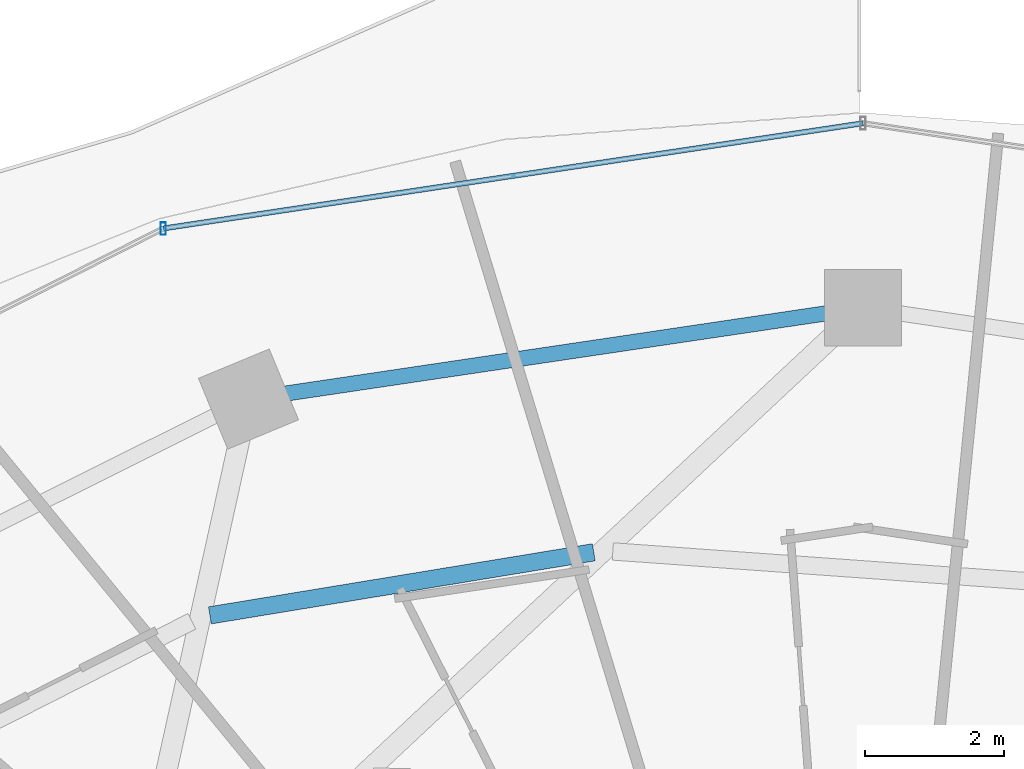
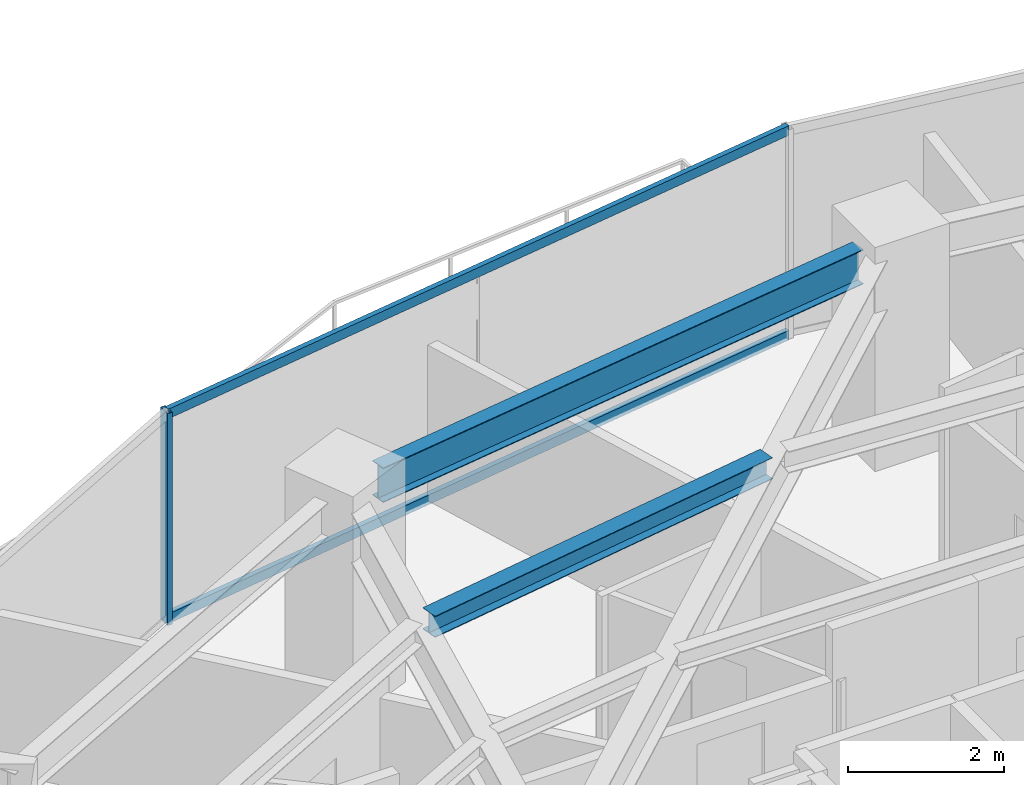
# One storey, part 17 of 29: 3 members, 2 beams, 1 element without a shape of its own.
"""IFC4 building model written with IfcOpenShell, lengths in metres."""

from ifc_helpers import new_model, si_unit, direction, frame, origin, origin_2d, place, context, subcontext, project, spatial, hollow_rectangle, i_section, extrude, material, material_profile, profile_set, type_object, element, aggregate, save


model = new_model("IFC4")

# Units and contexts
model_context = context("Model", 3, precision=1e-05, world=origin(), true_north=direction((0.0, 1.0)))
body_context = subcontext(model_context, "Body", "Model", "MODEL_VIEW")
ifc_project = project(units=[si_unit("LENGTHUNIT", "METRE"), si_unit("AREAUNIT", "SQUARE_METRE"), si_unit("VOLUMEUNIT", "CUBIC_METRE"), si_unit("PLANEANGLEUNIT", "RADIAN"), si_unit("MASSUNIT", "GRAM", prefix="KILO")], contexts=[model_context])

# Site, building, storey
site_placement = place(None, origin())
site = spatial("IfcSite", under=ifc_project, at=site_placement, CompositionType="ELEMENT")
building_placement = place(site_placement, origin())
building = spatial("IfcBuilding", under=site, at=building_placement, Name="Vorneva Point Tower", CompositionType="ELEMENT")
storey_placement = place(building_placement, frame((0.0, 0.0, 110.300048828125)))
storey = spatial("IfcBuildingStorey", under=building, at=storey_placement, Name="L29", CompositionType="ELEMENT", Elevation=110.300048828125)

# Beams
ifc_material_1 = material(Name="Steel S355", Category="steel")
ifc_material_profile_1 = material_profile(ifc_material_1, i_section(OverallWidth=0.2490234375, OverallDepth=0.333984375, WebThickness=0.008056640625, FlangeThickness=0.010986328125, at=origin_2d()), Name="35Sh1")
ifc_profile_set_1 = profile_set([ifc_material_profile_1], Name="Steel S355")
beam_type_1 = type_object("IfcBeamType", Name="BM-SEC-35Sh1", PredefinedType="BEAM", material=ifc_profile_set_1)
beam_1_placement = place(storey_placement, frame((34.135009765625, 39.691650390625, 3.072998046875), z_axis=(-0.986762474115, -0.162172191443, 0.0), x_axis=(0.162172191443, -0.986762474115, 0.0)))
element("IfcBeam", 1, at=beam_1_placement, inside=storey, type_object=beam_type_1, Name="L29 Secondary Floor Beam 1.05", PredefinedType="BEAM", context=body_context, shape_type="SweptSolid", body=[
    extrude(i_section(OverallWidth=0.2490234375, OverallDepth=0.333984375, WebThickness=0.008056640625, FlangeThickness=0.010986328125, at=origin_2d()), origin(), (0.0, 0.0, 1.0), 5.583740234375),
])
ifc_material_profile_2 = material_profile(ifc_material_1, i_section(OverallWidth=0.219970703125, OverallDepth=0.54296875, WebThickness=0.009521484375, FlangeThickness=0.013427734375, at=origin_2d()), Name="55B1")
ifc_profile_set_2 = profile_set([ifc_material_profile_2], Name="Steel S355")
beam_type_2 = type_object("IfcBeamType", Name="BM-SPN-55B1", PredefinedType="SPANDREL", material=ifc_profile_set_2)
beam_2_placement = place(storey_placement, frame((37.470703125, 43.121337890625, 2.968505859375), z_axis=(-0.989164507783, -0.146811363806, 0.0), x_axis=(0.146811363806, -0.989164507783, 0.0)))
element("IfcBeam", 2, at=beam_2_placement, inside=storey, type_object=beam_type_2, Name="L29 Perimeter Spandrel Ring Beam 05", PredefinedType="SPANDREL", context=body_context, shape_type="SweptSolid", body=[
    extrude(i_section(OverallWidth=0.219970703125, OverallDepth=0.54296875, WebThickness=0.009521484375, FlangeThickness=0.013427734375, at=origin_2d()), origin(), (0.0, 0.0, 1.0), 7.847412109375),
])

# Curtain wall, members
ifc_material_2 = material(Name="Pale anodised aluminium", Category="aluminium")
curtain_wall_type = type_object("IfcCurtainWallType", Name="CW-HTL-SYS", PredefinedType="NOTDEFINED", material=ifc_material_2)
curtain_wall_placement = place(storey_placement, origin())
curtain_wall = element("IfcCurtainWall", 3, at=curtain_wall_placement, inside=storey, type_object=curtain_wall_type, Name="L29 Unitised Curtain Wall CW-L29-R02", PredefinedType="NOTDEFINED")
ifc_material_profile_3 = material_profile(ifc_material_2, hollow_rectangle(XDim=0.074951171875, YDim=0.179931640625, WallThickness=0.00390625, at=origin_2d()), Name="AL-MUL 180x75x4")
ifc_profile_set_3 = profile_set([ifc_material_profile_3], Name="Pale anodised aluminium")
member_type_1 = type_object("IfcMemberType", Name="CW-MUL-180", PredefinedType="MULLION", material=ifc_profile_set_3)
member_1_placement = place(storey_placement, frame((27.95458984375, 44.339111328125, -0.0400390625), z_axis=(0.0, 0.0, 1.0), x_axis=(1.0, 0.0, 0.0)))
member_1 = element("IfcMember", 4, at=member_1_placement, type_object=member_type_1, Name="CW-L29-R02 Mullion 04", PredefinedType="MULLION", context=body_context, shape_type="SweptSolid", body=[
    extrude(hollow_rectangle(XDim=0.074951171875, YDim=0.179931640625, WallThickness=0.00390625, at=origin_2d()), origin(), (0.0, 0.0, 1.0), 3.31005859375),
])
ifc_material_profile_4 = material_profile(ifc_material_2, hollow_rectangle(XDim=0.074951171875, YDim=0.14990234375, WallThickness=0.00390625, at=origin_2d()), Name="AL-TRN 150x75x4")
ifc_profile_set_4 = profile_set([ifc_material_profile_4], Name="Pale anodised aluminium")
member_type_2 = type_object("IfcMemberType", Name="CW-TRN-150", PredefinedType="USERDEFINED", material=ifc_profile_set_4)
member_2_placement = place(storey_placement, frame((38.0, 45.85009765625, 0.02001953125), z_axis=(-0.988875982167, -0.148742367512, 0.0), x_axis=(0.148742367512, -0.988875982167, 0.0)))
member_2 = element("IfcMember", 5, at=member_2_placement, type_object=member_type_2, Name="CW-L29-R02 Transom 03.1", ObjectType="TRANSOM", PredefinedType="USERDEFINED", context=body_context, shape_type="SweptSolid", body=[
    extrude(hollow_rectangle(XDim=0.074951171875, YDim=0.14990234375, WallThickness=0.00390625, at=origin_2d()), origin(), (0.0, 0.0, 1.0), 10.158447265625),
])
member_3_placement = place(storey_placement, frame((38.0, 45.85009765625, 3.219970703125), z_axis=(-0.988875982167, -0.148742367512, 0.0), x_axis=(0.148742367512, -0.988875982167, 0.0)))
member_3 = element("IfcMember", 6, at=member_3_placement, type_object=member_type_2, Name="CW-L29-R02 Transom 03.2", ObjectType="TRANSOM", PredefinedType="USERDEFINED", context=body_context, shape_type="SweptSolid", body=[
    extrude(hollow_rectangle(XDim=0.074951171875, YDim=0.14990234375, WallThickness=0.00390625, at=origin_2d()), origin(), (0.0, 0.0, 1.0), 10.158447265625),
])
aggregate(curtain_wall, [member_1, member_2, member_3])

save(model, "model.ifc")
